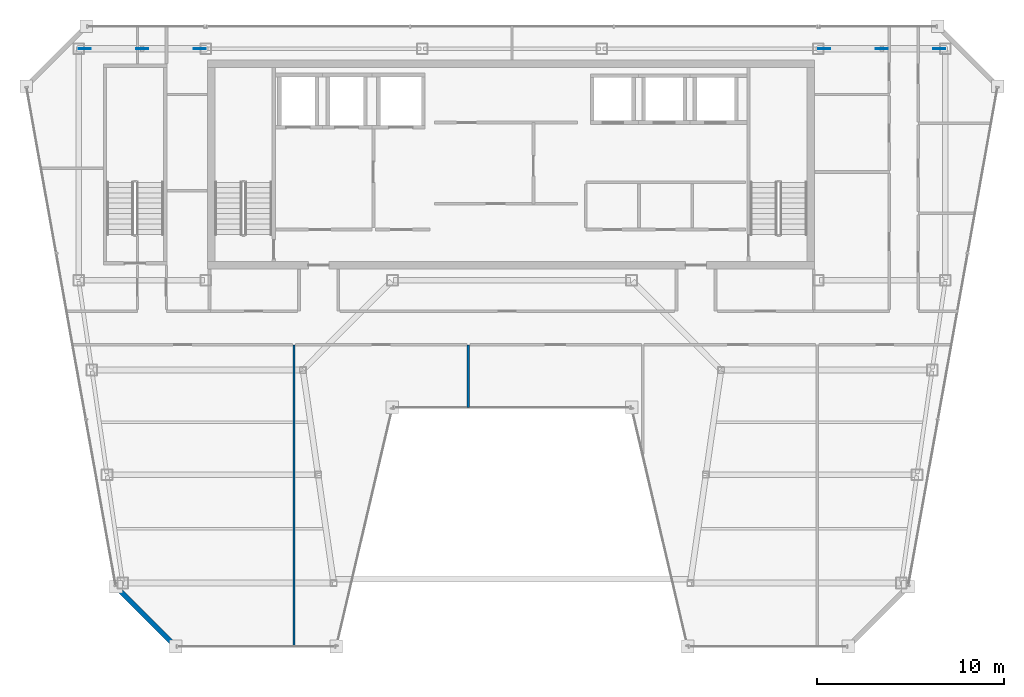
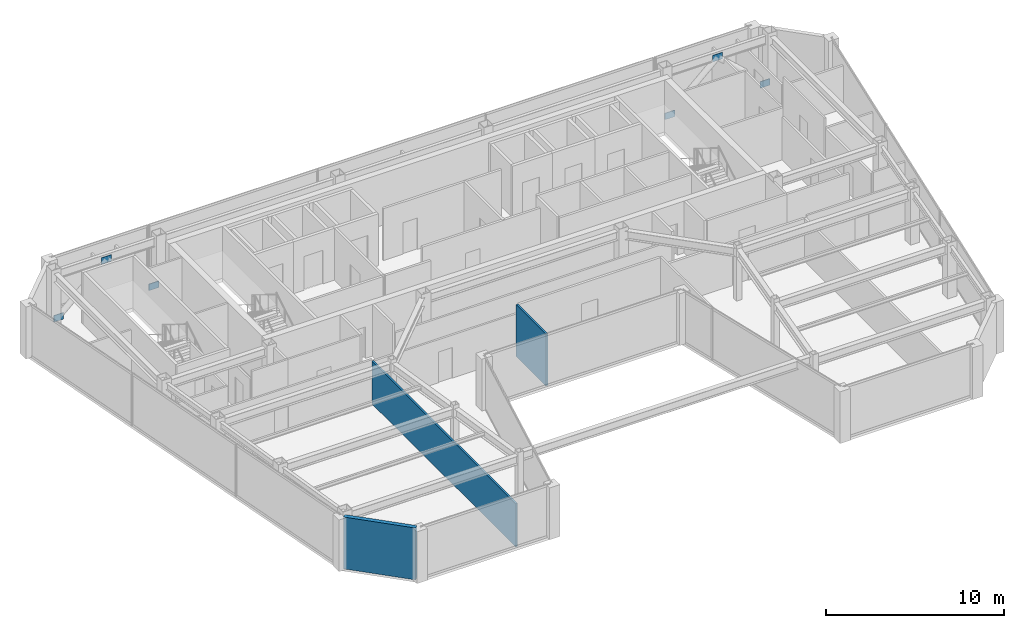
# One storey, part 26 of 32: 6 plates, 3 walls.
"""IFC4 building model written with IfcOpenShell, lengths in metres."""

from ifc_helpers import new_model, si_unit, direction, frame, frame_2d, origin, origin_2d, place, context, subcontext, project, spatial, rectangle, extrude, material, layer, layer_set, type_object, element, save


model = new_model("IFC4")

# Units and contexts
model_context = context("Model", 3, precision=1e-05, world=origin(), true_north=direction((0.0, 1.0)))
body_context = subcontext(model_context, "Body", "Model", "MODEL_VIEW")
ifc_project = project(units=[si_unit("LENGTHUNIT", "METRE"), si_unit("AREAUNIT", "SQUARE_METRE"), si_unit("VOLUMEUNIT", "CUBIC_METRE"), si_unit("PLANEANGLEUNIT", "RADIAN"), si_unit("MASSUNIT", "GRAM", prefix="KILO")], contexts=[model_context])

# Site, building, storey
site_placement = place(None, origin())
site = spatial("IfcSite", under=ifc_project, at=site_placement, CompositionType="ELEMENT")
building_placement = place(site_placement, origin())
building = spatial("IfcBuilding", under=site, at=building_placement, Name="Saevonmaru Cultural Tower", CompositionType="ELEMENT")
storey_placement = place(building_placement, frame((0.0, 0.0, 268.60009765625)))
storey = spatial("IfcBuildingStorey", under=building, at=storey_placement, Name="L63", CompositionType="ELEMENT", Elevation=268.60009765625)

# Plates
ifc_material_1 = material(Name="Steel HSA600 (600 MPa)", Category="steel")
ifc_layer_1 = layer(ifc_material_1, 0.0400390625, Name="Steel HSA600 (600 MPa)")
ifc_layer_set_1 = layer_set([ifc_layer_1], Name="Steel HSA600 (600 MPa)")
plate_type = type_object("IfcPlateType", Name="PL-GUSSET-EXT", PredefinedType="USERDEFINED", material=ifc_layer_set_1)
for number, where, z_axis, x_axis, name in (
    (1, (10.199951171875, 54.800048828125, 2.89990234375), (0.0, 0.0, 1.0), (1.0, 0.0, 0.0), "L63 Perimeter Tube Gusset Plate"),
    (2, (7.1201171875, 54.800048828125, 0.02001953125), (0.0, 0.0, 1.0), (1.0, 0.0, 0.0), "L63 Perimeter Tube Gusset Plate"),
    (3, (13.280029296875, 54.800048828125, 0.02001953125), (0.0, 0.0, 1.0), (1.0, 0.0, 0.0), "L63 Perimeter Tube Gusset Plate"),
    (4, (49.800048828125, 54.800048828125, 2.89990234375), (0.0, 0.0, 1.0), (1.0, 0.0, 0.0), "L63 Perimeter Tube Gusset Plate"),
    (5, (46.719970703125, 54.800048828125, 0.02001953125), (0.0, 0.0, 1.0), (1.0, 0.0, 0.0), "L63 Perimeter Tube Gusset Plate"),
    (6, (52.8798828125, 54.800048828125, 0.02001953125), (0.0, 0.0, 1.0), (1.0, 0.0, 0.0), "L63 Perimeter Tube Gusset Plate"),
):
    element("IfcPlate", number, at=place(storey_placement, frame(where, z_axis=z_axis, x_axis=x_axis)), inside=storey, type_object=plate_type, Name=name, ObjectType="GUSSET_PLATE", PredefinedType="USERDEFINED", context=body_context, shape_type="SweptSolid", body=[
        extrude(rectangle(XDim=0.639892578125, YDim=0.0400390625, at=origin_2d()), origin(), (0.0, 0.0, 1.0), 0.43994140625),
    ])

# Walls
ifc_material_2 = material(Name="Granite-Clad Precast Concrete C40/50", Category="masonry")
ifc_layer_2 = layer(ifc_material_2, 0.260009765625, Name="Granite-Clad Precast Concrete C40/50")
ifc_layer_set_2 = layer_set([ifc_layer_2], Name="Granite-Clad Precast Concrete C40/50")
wall_type_1 = type_object("IfcWallType", Name="WL-EXT-SPANDREL-260", PredefinedType="STANDARD", material=ifc_layer_set_2)
wall_1_placement = place(storey_placement, frame((8.90869140625, 25.886962890625, 0.0), z_axis=(0.0, 0.0, 1.0), x_axis=(0.707106781187, -0.707106781187, 0.0)))
element("IfcWall", 7, at=wall_1_placement, inside=storey, type_object=wall_type_1, Name="L63 Chamfer Corner Spandrel Wall E1", PredefinedType="STANDARD", context=body_context, shape_type="SweptSolid", body=[
    extrude(rectangle(XDim=4.205810546875, YDim=0.260009765625, at=frame_2d((2.10302734375, 0.0))), origin(), (0.0, 0.0, 1.0), 3.5498046875),
])
ifc_material_3 = material(Name="Gypsum Fireboard Partition", Category="gypsum")
ifc_layer_3 = layer(ifc_material_3, 0.1201171875, Name="Gypsum Fireboard Partition")
ifc_layer_set_3 = layer_set([ifc_layer_3], Name="Gypsum Fireboard Partition")
wall_type_2 = type_object("IfcWallType", Name="WL-PART-GYP-120", PredefinedType="PARTITIONING", material=ifc_layer_set_3)
wall_2_placement = place(storey_placement, frame((18.330078125, 22.804931640625, 0.0), z_axis=(0.0, 0.0, 1.0), x_axis=(0.0, 1.0, 0.0)))
element("IfcWall", 8, at=wall_2_placement, inside=storey, type_object=wall_type_2, Name="L63 Observatory Bay Divider 1", PredefinedType="PARTITIONING", context=body_context, shape_type="SweptSolid", body=[
    extrude(rectangle(XDim=16.14501953125, YDim=0.1201171875, at=frame_2d((8.072509765625, 0.0))), origin(), (0.0, 0.0, 1.0), 2.947021484375),
])
ifc_layer_4 = layer(ifc_material_3, 0.135009765625, Name="Gypsum Fireboard Partition")
ifc_layer_set_4 = layer_set([ifc_layer_4], Name="Gypsum Fireboard Partition")
wall_type_3 = type_object("IfcWallType", Name="WL-PART-GYP-135", PredefinedType="PARTITIONING", material=ifc_layer_set_4)
wall_3_placement = place(storey_placement, frame((27.669921875, 35.60498046875, 0.0), z_axis=(0.0, 0.0, 1.0), x_axis=(0.0, 1.0, 0.0)))
element("IfcWall", 9, at=wall_3_placement, inside=storey, type_object=wall_type_3, Name="L63 Observatory Bay Divider 2", PredefinedType="PARTITIONING", context=body_context, shape_type="SweptSolid", body=[
    extrude(rectangle(XDim=3.344970703125, YDim=0.135009765625, at=frame_2d((1.67236328125, 0.0))), origin(), (0.0, 0.0, 1.0), 3.5498046875),
])

save(model, "model.ifc")
